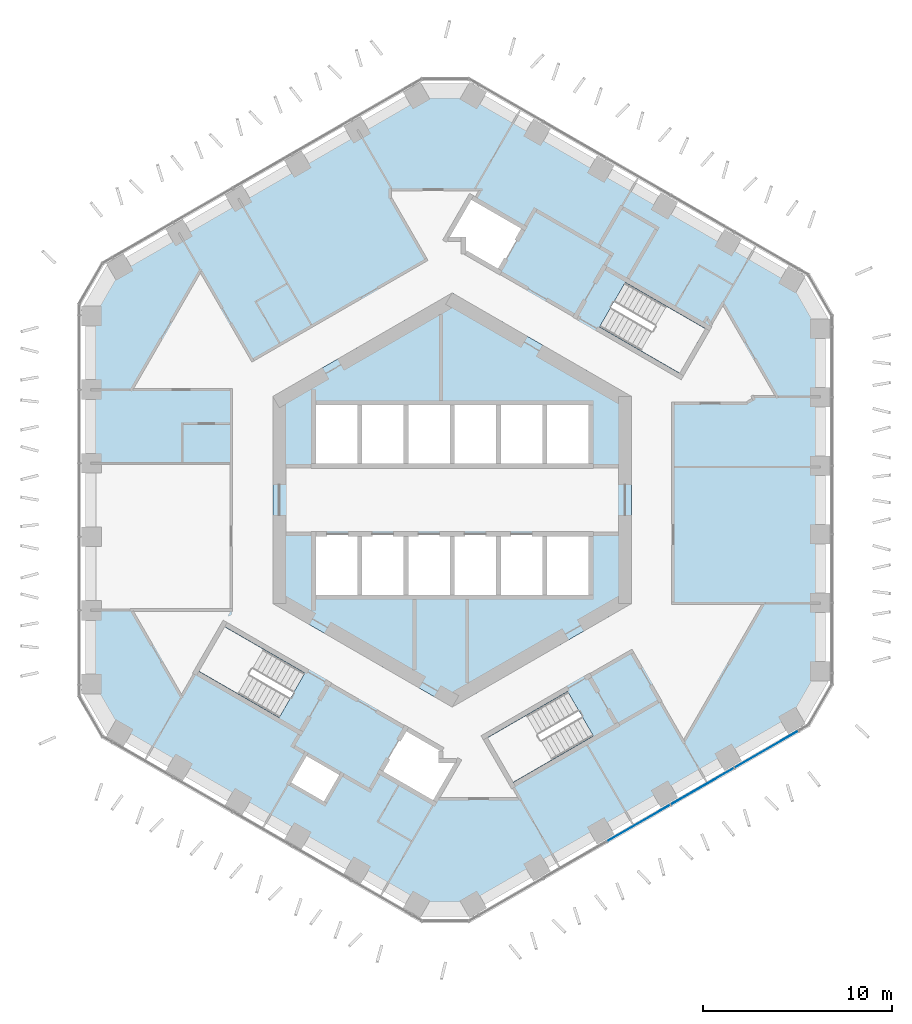
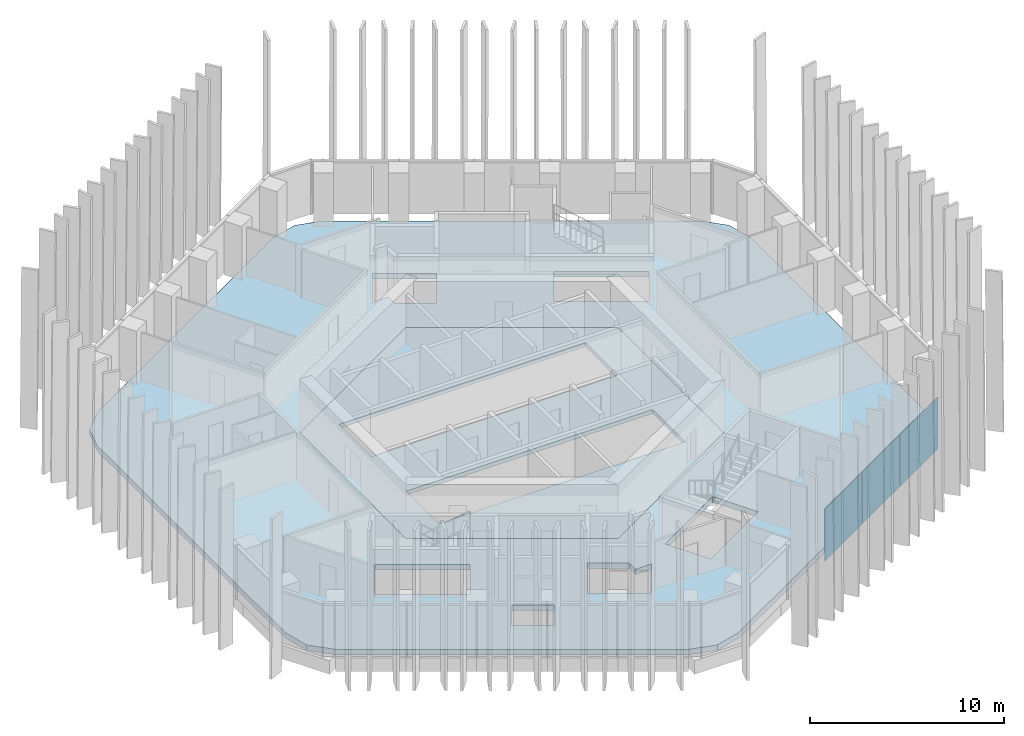
# One storey, part 9 of 19: 3 plates, 2 slabs, 1 element without a shape of its own.
"""IFC4 building model written with IfcOpenShell, lengths in metres."""

from ifc_helpers import new_model, si_unit, direction, frame, origin, origin_2d, place, context, subcontext, project, spatial, polyline, rectangle, outline, extrude, material, layer, layer_set, type_object, element, aggregate, save


model = new_model("IFC4")

# Units and contexts
model_context = context("Model", 3, precision=1e-05, world=origin(), true_north=direction((0.0, 1.0)))
body_context = subcontext(model_context, "Body", "Model", "MODEL_VIEW")
ifc_project = project(units=[si_unit("LENGTHUNIT", "METRE"), si_unit("AREAUNIT", "SQUARE_METRE"), si_unit("VOLUMEUNIT", "CUBIC_METRE"), si_unit("PLANEANGLEUNIT", "RADIAN"), si_unit("MASSUNIT", "GRAM", prefix="KILO")], contexts=[model_context])

# Site, building, storey
site_placement = place(None, origin())
site = spatial("IfcSite", under=ifc_project, at=site_placement, CompositionType="ELEMENT")
building_placement = place(site_placement, origin())
building = spatial("IfcBuilding", under=site, at=building_placement, Name="Ayvan Gate Tower", CompositionType="ELEMENT")
storey_placement = place(building_placement, frame((0.0, 0.0, 103.5)))
storey = spatial("IfcBuildingStorey", under=building, at=storey_placement, Name="L27", CompositionType="ELEMENT", Elevation=103.5)

# Slabs
ifc_material_1 = material(Name="Concrete C40/50", Category="concrete")
ifc_layer_1 = layer(ifc_material_1, 0.35009765625)
ifc_layer_set_1 = layer_set([ifc_layer_1], Name="Concrete C40/50")
slab_type_1 = type_object("IfcSlabType", Name="Post-tensioned flat slab 350", PredefinedType="FLOOR", material=ifc_layer_set_1)
slab_1_placement = place(storey_placement, frame((0.0, 0.0, -0.35009765625)))
element("IfcSlab", 1, at=slab_1_placement, inside=storey, type_object=slab_type_1, Name="SL-L27", PredefinedType="FLOOR", context=body_context, shape_type="SweptSolid", body=[
    extrude(outline(polyline([(-0.356201171875, -21.830322265625), (-1.856201171875, -21.428466796875), (-17.62939453125, -12.321533203125), (-18.7275390625, -11.2236328125), (-19.12939453125, -9.7236328125), (-19.12939453125, 9.7236328125), (-18.7275390625, 11.2236328125), (-17.62939453125, 12.321533203125), (-1.856201171875, 21.428466796875), (-0.356201171875, 21.830322265625), (1.143798828125, 21.428466796875), (17.985595703125, 11.704833984375), (19.083740234375, 10.606689453125), (19.485595703125, 9.106689453125), (19.485595703125, -9.106689453125), (19.083740234375, -10.606689453125), (17.985595703125, -11.704833984375), (1.143798828125, -21.428466796875), (-0.356201171875, -21.830322265625)]), holes=[polyline([(13.404541015625, 9.0673828125), (9.1611328125, 11.517578125), (7.80615234375, 9.170654296875), (12.049560546875, 6.720458984375), (13.404541015625, 9.0673828125)]), polyline([(0.0, 10.9697265625), (-9.5, 5.48486328125), (-9.5, -5.48486328125), (0.0, -10.9697265625), (9.5, -5.48486328125), (9.5, 5.48486328125), (0.0, 10.9697265625)]), polyline([(3.228759765625, -14.9423828125), (7.472412109375, -12.492431640625), (6.117431640625, -10.1455078125), (1.873779296875, -12.595458984375), (3.228759765625, -14.9423828125)]), polyline([(2.472412109375, 12.08251953125), (3.822509765625, 14.420654296875), (0.964599609375, 16.07080078125), (-0.340576171875, 13.81005859375), (0.60009765625, 13.81005859375), (0.60009765625, 13.16357421875), (2.472412109375, 12.08251953125)]), polyline([(0.340576171875, -13.81005859375), (-0.60009765625, -13.81005859375), (-0.60009765625, -13.16357421875), (-2.472412109375, -12.08251953125), (-3.822509765625, -14.420654296875), (-0.964599609375, -16.07080078125), (-0.82568359375, -15.830322265625), (0.340576171875, -13.81005859375)]), polyline([(-5.8447265625, -14.5234375), (-7.75, -13.42333984375), (-8.6611328125, -15.001708984375), (-6.755859375, -16.1015625), (-5.8447265625, -14.5234375)]), polyline([(-7.80615234375, -9.170654296875), (-12.049560546875, -6.720458984375), (-13.404541015625, -9.0673828125), (-9.1611328125, -11.517578125), (-7.80615234375, -9.170654296875)])]), origin(), (0.0, 0.0, 1.0), 0.35009765625),
])
ifc_layer_2 = layer(ifc_material_1, 0.25)
ifc_layer_set_2 = layer_set([ifc_layer_2], Name="Concrete C40/50")
slab_type_2 = type_object("IfcSlabType", Name="SL-CORE-250", PredefinedType="FLOOR", material=ifc_layer_set_2)
slab_2_placement = place(storey_placement, frame((0.0, 0.0, -0.25)))
element("IfcSlab", 2, at=slab_2_placement, inside=storey, type_object=slab_type_2, Name="CS-L27", PredefinedType="FLOOR", context=body_context, shape_type="SweptSolid", body=[
    extrude(outline(polyline([(9.5, -5.48486328125), (0.0, -10.9697265625), (-9.5, -5.48486328125), (-9.5, 5.48486328125), (0.0, 10.9697265625), (9.5, 5.48486328125), (9.5, -5.48486328125)]), holes=[polyline([(-7.35009765625, -1.800048828125), (-7.35009765625, -5.14990234375), (7.35009765625, -5.14990234375), (7.35009765625, -1.800048828125), (-7.35009765625, -1.800048828125)]), polyline([(-7.35009765625, 5.14990234375), (-7.35009765625, 1.800048828125), (7.35009765625, 1.800048828125), (7.35009765625, 5.14990234375), (-7.35009765625, 5.14990234375)])]), origin(), (0.0, 0.0, 1.0), 0.25),
])

# Curtain wall, plates
ifc_material_2 = material(Name="Bronze anodised aluminium", Category="aluminium")
ifc_layer_3 = layer(ifc_material_2, 0.199951171875)
ifc_layer_set_3 = layer_set([ifc_layer_3], Name="Bronze anodised aluminium")
curtain_wall_type = type_object("IfcCurtainWallType", Name="Stick curtain wall CW-1", PredefinedType="NOTDEFINED", material=ifc_layer_set_3)
curtain_wall_placement = place(storey_placement, origin())
curtain_wall = element("IfcCurtainWall", 3, at=curtain_wall_placement, inside=storey, type_object=curtain_wall_type, Name="Stick curtain wall CW-1 L27", PredefinedType="NOTDEFINED")
ifc_material_3 = material(Name="Clear low-iron laminated glass", Category="glass")
ifc_layer_4 = layer(ifc_material_3, 0.028076171875)
ifc_layer_set_4 = layer_set([ifc_layer_4], Name="Clear low-iron laminated glass")
plate_type = type_object("IfcPlateType", Name="Stick curtain wall CW-1 glass panel", PredefinedType="CURTAIN_PANEL", material=ifc_layer_set_4)
plate_1_placement = place(storey_placement, frame((9.87744140625, -17.10791015625, 0.0), z_axis=(0.0, 0.0, 1.0), x_axis=(0.866025403784, 0.5, 0.0)))
plate_1 = element("IfcPlate", 4, at=plate_1_placement, type_object=plate_type, Name="CW-1 glass panel 3", PredefinedType="CURTAIN_PANEL", context=body_context, shape_type="SweptSolid", body=[
    extrude(rectangle(XDim=3.8359375, YDim=0.028076171875, at=origin_2d()), origin(), (0.0, 0.0, 1.0), 3.280029296875),
])
plate_2_placement = place(storey_placement, frame((13.25146484375, -15.159912109375, 0.0), z_axis=(0.0, 0.0, 1.0), x_axis=(0.866025403784, 0.5, 0.0)))
plate_2 = element("IfcPlate", 5, at=plate_2_placement, type_object=plate_type, Name="CW-1 glass panel 4", PredefinedType="CURTAIN_PANEL", context=body_context, shape_type="SweptSolid", body=[
    extrude(rectangle(XDim=3.8359375, YDim=0.028076171875, at=origin_2d()), origin(), (0.0, 0.0, 1.0), 3.280029296875),
])
plate_3_placement = place(storey_placement, frame((16.65380859375, -13.1953125, 0.0), z_axis=(0.0, 0.0, 1.0), x_axis=(0.866025403784, 0.5, 0.0)))
plate_3 = element("IfcPlate", 6, at=plate_3_placement, type_object=plate_type, Name="CW-1 glass panel 5", PredefinedType="CURTAIN_PANEL", context=body_context, shape_type="SweptSolid", body=[
    extrude(rectangle(XDim=3.901611328125, YDim=0.028076171875, at=origin_2d()), origin(), (0.0, 0.0, 1.0), 3.280029296875),
])
aggregate(curtain_wall, [plate_1, plate_2, plate_3])

save(model, "model.ifc")
